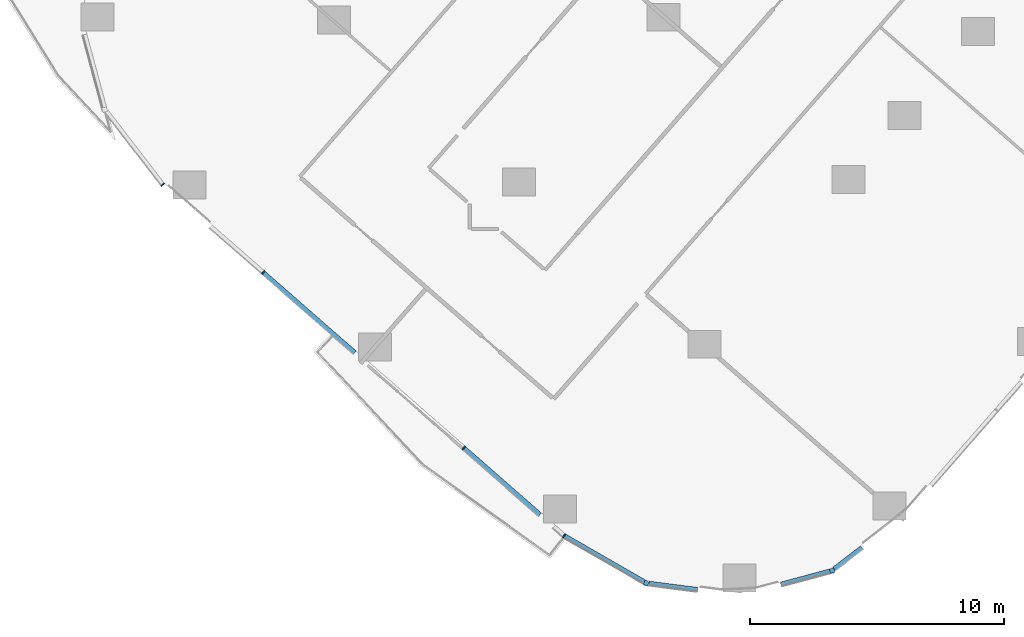
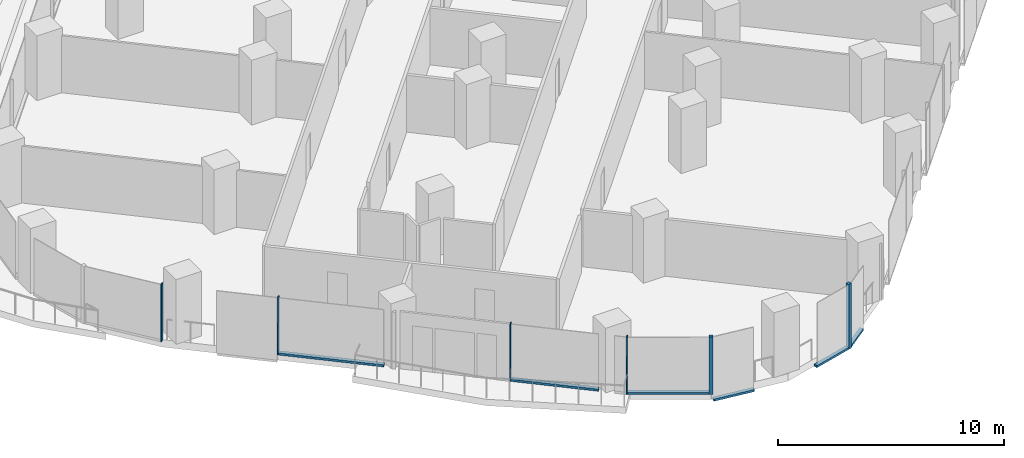
# One storey, part 2 of 32: 12 members, 6 elements without a shape of their own.
"""IFC4 building model written with IfcOpenShell, lengths in metres."""

from ifc_helpers import new_model, si_unit, direction, frame, origin, origin_2d, place, context, subcontext, project, spatial, rectangle, extrude, material, material_profile, profile_set, type_object, element, aggregate, save


model = new_model("IFC4")

# Units and contexts
model_context = context("Model", 3, precision=1e-05, world=origin(), true_north=direction((0.0, 1.0)))
body_context = subcontext(model_context, "Body", "Model", "MODEL_VIEW")
ifc_project = project(units=[si_unit("LENGTHUNIT", "METRE"), si_unit("AREAUNIT", "SQUARE_METRE"), si_unit("VOLUMEUNIT", "CUBIC_METRE"), si_unit("PLANEANGLEUNIT", "RADIAN"), si_unit("MASSUNIT", "GRAM", prefix="KILO")], contexts=[model_context])

# Site, building, storey
site_placement = place(None, origin())
site = spatial("IfcSite", under=ifc_project, at=site_placement, CompositionType="ELEMENT")
building_placement = place(site_placement, origin())
building = spatial("IfcBuilding", under=site, at=building_placement, Name="Orlundy Tower", CompositionType="ELEMENT")
storey_placement = place(building_placement, frame((0.0, 0.0, 58.800048828125)))
storey = spatial("IfcBuildingStorey", under=building, at=storey_placement, Name="L13", CompositionType="ELEMENT", Elevation=58.800048828125)

# Curtain wall, member
ifc_material_1 = material(Name="Aluminium bronze anodised", Category="aluminium")
curtain_wall_type = type_object("IfcCurtainWallType", Name="CW1 wall", PredefinedType="NOTDEFINED", material=ifc_material_1)
curtain_wall_1_placement = place(storey_placement, origin())
curtain_wall_1 = element("IfcCurtainWall", 1, at=curtain_wall_1_placement, inside=storey, type_object=curtain_wall_type, Name="CW1 run 04", PredefinedType="NOTDEFINED")
ifc_material_2 = material(Name="Aluminium bronze anodised", Category="aluminium")
ifc_material_profile_1 = material_profile(ifc_material_2, rectangle(XDim=0.179931640625, YDim=0.179931640625, at=origin_2d()), Name="CW1 corner post 180x180")
ifc_profile_set_1 = profile_set([ifc_material_profile_1], Name="Aluminium bronze anodised")
member_type_1 = type_object("IfcMemberType", Name="CW1 corner post 180x180", PredefinedType="MULLION", material=ifc_profile_set_1)
member_1_placement = place(storey_placement, frame((-20.753173828125, -53.148193359375, -0.400146484375), z_axis=(0.0, 0.0, 1.0), x_axis=(0.26007990033, -0.965587098839, 0.0)))
member_1 = element("IfcMember", 2, at=member_1_placement, type_object=member_type_1, Name="CW1 mullion 15", PredefinedType="MULLION", context=body_context, shape_type="SweptSolid", body=[
    extrude(rectangle(XDim=0.179931640625, YDim=0.179931640625, at=origin_2d()), origin(), (0.0, 0.0, 1.0), 3.5),
])

curtain_wall_2_placement = place(storey_placement, origin())
curtain_wall_2 = element("IfcCurtainWall", 3, at=curtain_wall_2_placement, inside=storey, type_object=curtain_wall_type, Name="CW1 run 06", PredefinedType="NOTDEFINED")
member_2_placement = place(storey_placement, frame((-28.078369140625, -53.638916015625, 0.0), z_axis=(0.0, 0.0, 1.0), x_axis=(-0.498780254844, -0.866728479616, 0.0)))
member_2 = element("IfcMember", 4, at=member_2_placement, type_object=member_type_1, Name="CW1 mullion 17", PredefinedType="MULLION", context=body_context, shape_type="SweptSolid", body=[
    extrude(rectangle(XDim=0.179931640625, YDim=0.179931640625, at=origin_2d()), origin(), (0.0, 0.0, 1.0), 3.099853515625),
])

# Curtain wall, members
curtain_wall_3_placement = place(storey_placement, origin())
curtain_wall_3 = element("IfcCurtainWall", 5, at=curtain_wall_3_placement, inside=storey, type_object=curtain_wall_type, Name="CW1 run 07", PredefinedType="NOTDEFINED")
ifc_material_3 = material(Name="Aluminium bronze anodised", Category="aluminium")
ifc_material_profile_2 = material_profile(ifc_material_3, rectangle(XDim=0.179931640625, YDim=0.050048828125, at=origin_2d()), Name="CW1 mullion 50x180")
ifc_profile_set_2 = profile_set([ifc_material_profile_2], Name="Aluminium bronze anodised")
member_type_2 = type_object("IfcMemberType", Name="CW1 mullion 50x180", PredefinedType="MULLION", material=ifc_profile_set_2)
member_3_placement = place(storey_placement, frame((-31.314453125, -51.776611328125, 0.0), z_axis=(0.0, 0.0, 1.0), x_axis=(-0.581319316021, -0.813675520598, 0.0)))
member_3 = element("IfcMember", 6, at=member_3_placement, type_object=member_type_2, Name="CW1 mullion 18", PredefinedType="MULLION", context=body_context, shape_type="SweptSolid", body=[
    extrude(rectangle(XDim=0.179931640625, YDim=0.050048828125, at=origin_2d()), origin(), (0.0, 0.0, 1.0), 3.099853515625),
])
member_4_placement = place(storey_placement, frame((-35.273193359375, -48.31494140625, 0.0), z_axis=(0.0, 0.0, 1.0), x_axis=(-0.658261834143, -0.752789052597, 0.0)))
member_4 = element("IfcMember", 7, at=member_4_placement, type_object=member_type_2, Name="CW1 mullion 19", PredefinedType="MULLION", context=body_context, shape_type="SweptSolid", body=[
    extrude(rectangle(XDim=0.179931640625, YDim=0.050048828125, at=origin_2d()), origin(), (0.0, 0.0, 1.0), 3.099853515625),
])
member_5_placement = place(storey_placement, frame((-43.17724609375, -41.403564453125, 0.0), z_axis=(0.0, 0.0, 1.0), x_axis=(-0.658261834143, -0.752789052597, 0.0)))
member_5 = element("IfcMember", 8, at=member_5_placement, type_object=member_type_2, Name="CW1 mullion 21", PredefinedType="MULLION", context=body_context, shape_type="SweptSolid", body=[
    extrude(rectangle(XDim=0.179931640625, YDim=0.050048828125, at=origin_2d()), origin(), (0.0, 0.0, 1.0), 3.099853515625),
])

# Curtain wall, member
curtain_wall_4_placement = place(storey_placement, origin())
curtain_wall_4 = element("IfcCurtainWall", 9, at=curtain_wall_4_placement, inside=storey, type_object=curtain_wall_type, Name="CW1 run 08", PredefinedType="NOTDEFINED")
member_6_placement = place(storey_placement, frame((-47.135986328125, -37.94189453125, 0.0), z_axis=(0.0, 0.0, 1.0), x_axis=(-0.728888590013, -0.684632327128, 0.0)))
member_6 = element("IfcMember", 10, at=member_6_placement, type_object=member_type_2, Name="CW1 mullion 22", PredefinedType="MULLION", context=body_context, shape_type="SweptSolid", body=[
    extrude(rectangle(XDim=0.179931640625, YDim=0.050048828125, at=origin_2d()), origin(), (0.0, 0.0, 1.0), 3.099853515625),
])
aggregate(curtain_wall_4, [member_6])

curtain_wall_5_placement = place(storey_placement, origin())
curtain_wall_5 = element("IfcCurtainWall", 11, at=curtain_wall_5_placement, inside=storey, type_object=curtain_wall_type, Name="CW1 run 03", PredefinedType="NOTDEFINED")
ifc_material_4 = material(Name="Aluminium bronze anodised", Category="aluminium")
ifc_material_profile_3 = material_profile(ifc_material_4, rectangle(XDim=0.179931640625, YDim=0.1201171875, at=origin_2d()), Name="CW1 transom 180x120")
ifc_profile_set_3 = profile_set([ifc_material_profile_3], Name="Aluminium bronze anodised")
member_type_3 = type_object("IfcMemberType", Name="CW1 transom 180x120", PredefinedType="USERDEFINED", material=ifc_profile_set_3)
member_7_placement = place(storey_placement, frame((-19.574462890625, -52.24072265625, -0.340087890625), z_axis=(-0.792349723241, -0.610067140633, 0.0), x_axis=(0.610067140633, -0.792349723241, 0.0)))
member_7 = element("IfcMember", 12, at=member_7_placement, type_object=member_type_3, Name="CW1 transom", ObjectType="TRANSOM", PredefinedType="USERDEFINED", context=body_context, shape_type="SweptSolid", body=[
    extrude(rectangle(XDim=0.179931640625, YDim=0.1201171875, at=origin_2d()), origin(), (0.0, 0.0, 1.0), 1.39013671875),
])
aggregate(curtain_wall_5, [member_7])

# Member
member_8_placement = place(storey_placement, frame((-20.840087890625, -53.171630859375, -0.340087890625), z_axis=(-0.96558983049, -0.26006975844, 0.0), x_axis=(0.26006975844, -0.96558983049, 0.0)))
member_8 = element("IfcMember", 13, at=member_8_placement, type_object=member_type_3, Name="CW1 transom", ObjectType="TRANSOM", PredefinedType="USERDEFINED", context=body_context, shape_type="SweptSolid", body=[
    extrude(rectangle(XDim=0.179931640625, YDim=0.1201171875, at=origin_2d()), origin(), (0.0, 0.0, 1.0), 2.00048828125),
])

aggregate(curtain_wall_1, [member_1, member_8])

# Curtain wall, member
curtain_wall_6_placement = place(storey_placement, origin())
curtain_wall_6 = element("IfcCurtainWall", 14, at=curtain_wall_6_placement, inside=storey, type_object=curtain_wall_type, Name="CW1 run 05", PredefinedType="NOTDEFINED")
member_9_placement = place(storey_placement, frame((-26.054443359375, -53.902099609375, -0.340087890625), z_axis=(-0.991659150048, 0.128888052692, 0.0), x_axis=(-0.128888052692, -0.991659150048, 0.0)))
member_9 = element("IfcMember", 15, at=member_9_placement, type_object=member_type_3, Name="CW1 transom", ObjectType="TRANSOM", PredefinedType="USERDEFINED", context=body_context, shape_type="SweptSolid", body=[
    extrude(rectangle(XDim=0.179931640625, YDim=0.1201171875, at=origin_2d()), origin(), (0.0, 0.0, 1.0), 1.943359375),
])
aggregate(curtain_wall_6, [member_9])

# Member
member_10_placement = place(storey_placement, frame((-28.15625, -53.593994140625, 0.06005859375), z_axis=(-0.866732056117, 0.498774039921, 0.0), x_axis=(-0.498774039921, -0.866732056117, 0.0)))
member_10 = element("IfcMember", 16, at=member_10_placement, type_object=member_type_3, Name="CW1 transom", ObjectType="TRANSOM", PredefinedType="USERDEFINED", context=body_context, shape_type="SweptSolid", body=[
    extrude(rectangle(XDim=0.179931640625, YDim=0.1201171875, at=origin_2d()), origin(), (0.0, 0.0, 1.0), 3.61865234375),
])

aggregate(curtain_wall_2, [member_2, member_10])

member_11_placement = place(storey_placement, frame((-32.26904296875, -50.94189453125, 0.06005859375), z_axis=(-0.752805471485, 0.65824305701, 0.0), x_axis=(-0.65824305701, -0.752805471485, 0.0)))
member_11 = element("IfcMember", 17, at=member_11_placement, type_object=member_type_3, Name="CW1 transom", ObjectType="TRANSOM", PredefinedType="USERDEFINED", context=body_context, shape_type="SweptSolid", body=[
    extrude(rectangle(XDim=0.179931640625, YDim=0.1201171875, at=origin_2d()), origin(), (0.0, 0.0, 1.0), 3.965576171875),
])

member_12_placement = place(storey_placement, frame((-39.571044921875, -44.556884765625, 0.06005859375), z_axis=(-0.752786113741, 0.658265195008, 0.0), x_axis=(-0.658265195008, -0.752786113741, 0.0)))
member_12 = element("IfcMember", 18, at=member_12_placement, type_object=member_type_3, Name="CW1 transom", ObjectType="TRANSOM", PredefinedType="USERDEFINED", context=body_context, shape_type="SweptSolid", body=[
    extrude(rectangle(XDim=0.179931640625, YDim=0.1201171875, at=origin_2d()), origin(), (0.0, 0.0, 1.0), 4.765380859375),
])

aggregate(curtain_wall_3, [member_3, member_4, member_5, member_11, member_12])

save(model, "model.ifc")
